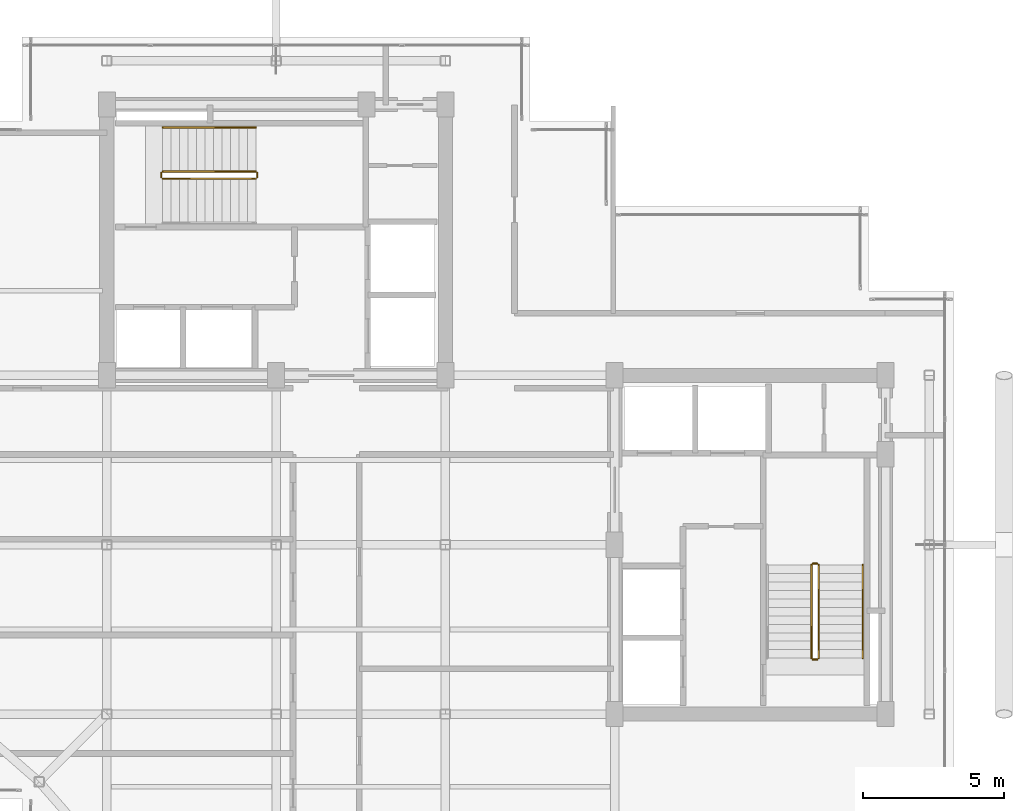
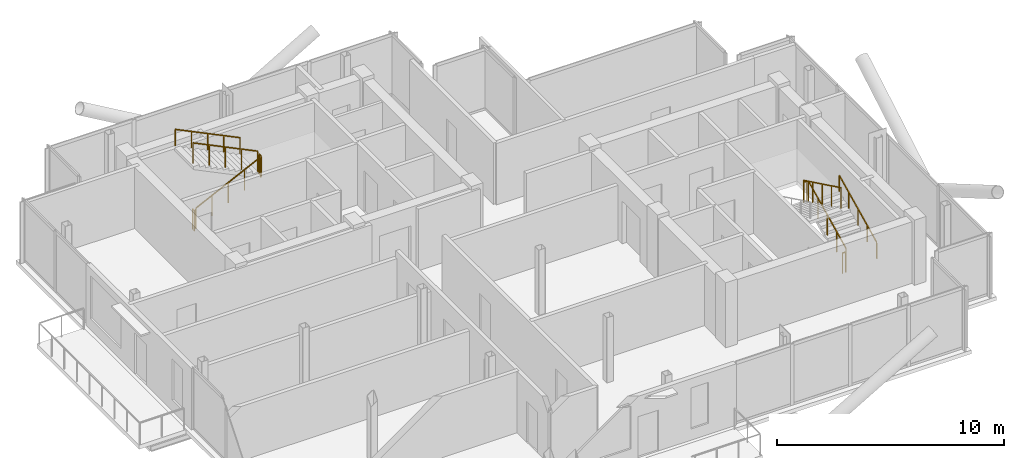
# One storey, part 18 of 18: 10 railings.
"""IFC4 building model written with IfcOpenShell, lengths in metres."""

from ifc_helpers import new_model, si_unit, direction, frame, origin, origin_2d, place, context, subcontext, project, spatial, rectangle, extrude, material, type_object, element, save


model = new_model("IFC4")

# Units and contexts
model_context = context("Model", 3, precision=1e-05, world=origin(), true_north=direction((0.0, 1.0)))
body_context = subcontext(model_context, "Body", "Model", "MODEL_VIEW")
ifc_project = project(units=[si_unit("LENGTHUNIT", "METRE"), si_unit("AREAUNIT", "SQUARE_METRE"), si_unit("VOLUMEUNIT", "CUBIC_METRE"), si_unit("PLANEANGLEUNIT", "RADIAN"), si_unit("MASSUNIT", "GRAM", prefix="KILO"), si_unit("THERMODYNAMICTEMPERATUREUNIT", "KELVIN"), si_unit("POWERUNIT", "WATT")], contexts=[model_context])

# Site, building, storey
site_placement = place(None, origin())
site = spatial("IfcSite", under=ifc_project, at=site_placement, CompositionType="ELEMENT")
building_placement = place(site_placement, origin())
building = spatial("IfcBuilding", under=site, at=building_placement, Name="Svarakhadi Broadcast Tower", CompositionType="ELEMENT")
storey_placement = place(building_placement, frame((0.0, 0.0, 281.699951171875)))
storey = spatial("IfcBuildingStorey", under=building, at=storey_placement, Name="L71", CompositionType="ELEMENT", Elevation=281.699951171875)

# Railings
ifc_material = material(Name="Anodised Bronze Aluminium AA 6063-T6", Category="aluminium")
railing_type_1 = type_object("IfcRailingType", Name="Guard_Stair_GR01", PredefinedType="GUARDRAIL", material=ifc_material)
railing_1_placement = place(storey_placement, frame((7.97998046875, 24.969970703125, 0.14599609375)))
element("IfcRailing", 1, at=railing_1_placement, inside=storey, type_object=railing_type_1, Name="L71 ST-01 stair guard 1", PredefinedType="GUARDRAIL", context=body_context, shape_type="SweptSolid", body=[
    extrude(rectangle(XDim=0.048095703125, YDim=0.048095703125, at=origin_2d()), frame((0.0, 0.0, 1.09619140625), z_axis=(0.899387838337, 0.0, 0.437151594131), x_axis=(0.0, 1.0, 0.0)), (0.0, 0.0, 1.0), 3.669189453125),
    extrude(rectangle(XDim=0.0419921875, YDim=0.0419921875, at=origin_2d()), origin(), (0.0, 0.0, 1.0), 1.072021484375),
    extrude(rectangle(XDim=0.0419921875, YDim=0.0419921875, at=origin_2d()), frame((0.824951171875, 0.0, 0.40087890625)), (0.0, 0.0, 1.0), 1.072021484375),
    extrude(rectangle(XDim=0.0419921875, YDim=0.0419921875, at=origin_2d()), frame((1.64990234375, 0.0, 0.802001953125)), (0.0, 0.0, 1.0), 1.072021484375),
    extrude(rectangle(XDim=0.0419921875, YDim=0.0419921875, at=origin_2d()), frame((2.47509765625, 0.0, 1.203125)), (0.0, 0.0, 1.0), 1.072021484375),
    extrude(rectangle(XDim=0.0419921875, YDim=0.0419921875, at=origin_2d()), frame((3.300048828125, 0.0, 1.60400390625)), (0.0, 0.0, 1.0), 1.072021484375),
])
railing_2_placement = place(storey_placement, frame((11.330078125, 25.02001953125, 1.75)))
element("IfcRailing", 2, at=railing_2_placement, inside=storey, type_object=railing_type_1, Name="L71 ST-01 stair guard 2", PredefinedType="GUARDRAIL", context=body_context, shape_type="SweptSolid", body=[
    extrude(rectangle(XDim=0.048095703125, YDim=0.048095703125, at=origin_2d()), frame((0.0, 0.0, 1.09619140625), z_axis=(0.0, 1.0, 0.0), x_axis=(-1.0, 0.0, 0.0)), (0.0, 0.0, 1.0), 0.159912109375),
    extrude(rectangle(XDim=0.0419921875, YDim=0.0419921875, at=origin_2d()), origin(), (0.0, 0.0, 1.0), 1.072021484375),
    extrude(rectangle(XDim=0.0419921875, YDim=0.0419921875, at=origin_2d()), frame((0.0, 0.159912109375, 0.0)), (0.0, 0.0, 1.0), 1.072021484375),
])
railing_3_placement = place(storey_placement, frame((11.280029296875, 25.22998046875, 1.89599609375)))
element("IfcRailing", 3, at=railing_3_placement, inside=storey, type_object=railing_type_1, Name="L71 ST-01 stair guard 3", PredefinedType="GUARDRAIL", context=body_context, shape_type="SweptSolid", body=[
    extrude(rectangle(XDim=0.048095703125, YDim=0.048095703125, at=origin_2d()), frame((0.0, 0.0, 1.09619140625), z_axis=(-0.899387838337, 0.0, 0.437151594131), x_axis=(0.0, -1.0, 0.0)), (0.0, 0.0, 1.0), 3.669189453125),
    extrude(rectangle(XDim=0.0419921875, YDim=0.0419921875, at=origin_2d()), origin(), (0.0, 0.0, 1.0), 1.072021484375),
    extrude(rectangle(XDim=0.0419921875, YDim=0.0419921875, at=origin_2d()), frame((-0.824951171875, 0.0, 0.40087890625)), (0.0, 0.0, 1.0), 1.072021484375),
    extrude(rectangle(XDim=0.0419921875, YDim=0.0419921875, at=origin_2d()), frame((-1.64990234375, 0.0, 0.802001953125)), (0.0, 0.0, 1.0), 1.072021484375),
    extrude(rectangle(XDim=0.0419921875, YDim=0.0419921875, at=origin_2d()), frame((-2.47509765625, 0.0, 1.203125)), (0.0, 0.0, 1.0), 1.072021484375),
    extrude(rectangle(XDim=0.0419921875, YDim=0.0419921875, at=origin_2d()), frame((-3.300048828125, 0.0, 1.60400390625)), (0.0, 0.0, 1.0), 1.072021484375),
])
railing_4_placement = place(storey_placement, frame((7.929931640625, 25.02001953125, 0.0)))
element("IfcRailing", 4, at=railing_4_placement, inside=storey, type_object=railing_type_1, Name="L71 ST-01 stair guard 4", PredefinedType="GUARDRAIL", context=body_context, shape_type="SweptSolid", body=[
    extrude(rectangle(XDim=0.048095703125, YDim=0.048095703125, at=origin_2d()), frame((0.0, 0.0, 1.09619140625), z_axis=(0.0, 1.0, 0.0), x_axis=(-1.0, 0.0, 0.0)), (0.0, 0.0, 1.0), 0.159912109375),
    extrude(rectangle(XDim=0.0419921875, YDim=0.0419921875, at=origin_2d()), origin(), (0.0, 0.0, 1.0), 1.072021484375),
    extrude(rectangle(XDim=0.0419921875, YDim=0.0419921875, at=origin_2d()), frame((0.0, 0.159912109375, 0.0)), (0.0, 0.0, 1.0), 1.072021484375),
])
railing_5_placement = place(storey_placement, frame((31.22998046875, 7.97998046875, 0.14599609375)))
element("IfcRailing", 5, at=railing_5_placement, inside=storey, type_object=railing_type_1, Name="L71 ST-02 stair guard 1", PredefinedType="GUARDRAIL", context=body_context, shape_type="SweptSolid", body=[
    extrude(rectangle(XDim=0.048095703125, YDim=0.048095703125, at=origin_2d()), frame((0.0, 0.0, 1.09619140625), z_axis=(0.0, 0.899387838337, 0.437151594131), x_axis=(-1.0, 0.0, 0.0)), (0.0, 0.0, 1.0), 3.669189453125),
    extrude(rectangle(XDim=0.0419921875, YDim=0.0419921875, at=origin_2d()), origin(), (0.0, 0.0, 1.0), 1.072021484375),
    extrude(rectangle(XDim=0.0419921875, YDim=0.0419921875, at=origin_2d()), frame((0.0, 0.824951171875, 0.40087890625)), (0.0, 0.0, 1.0), 1.072021484375),
    extrude(rectangle(XDim=0.0419921875, YDim=0.0419921875, at=origin_2d()), frame((0.0, 1.64990234375, 0.802001953125)), (0.0, 0.0, 1.0), 1.072021484375),
    extrude(rectangle(XDim=0.0419921875, YDim=0.0419921875, at=origin_2d()), frame((0.0, 2.47509765625, 1.203125)), (0.0, 0.0, 1.0), 1.072021484375),
    extrude(rectangle(XDim=0.0419921875, YDim=0.0419921875, at=origin_2d()), frame((0.0, 3.300048828125, 1.60400390625)), (0.0, 0.0, 1.0), 1.072021484375),
])
railing_6_placement = place(storey_placement, frame((31.179931640625, 11.330078125, 1.75)))
element("IfcRailing", 6, at=railing_6_placement, inside=storey, type_object=railing_type_1, Name="L71 ST-02 stair guard 2", PredefinedType="GUARDRAIL", context=body_context, shape_type="SweptSolid", body=[
    extrude(rectangle(XDim=0.048095703125, YDim=0.048095703125, at=origin_2d()), frame((0.0, 0.0, 1.09619140625), z_axis=(-1.0, 0.0, 0.0), x_axis=(0.0, -1.0, 0.0)), (0.0, 0.0, 1.0), 0.159912109375),
    extrude(rectangle(XDim=0.0419921875, YDim=0.0419921875, at=origin_2d()), origin(), (0.0, 0.0, 1.0), 1.072021484375),
    extrude(rectangle(XDim=0.0419921875, YDim=0.0419921875, at=origin_2d()), frame((-0.159912109375, 0.0, 0.0)), (0.0, 0.0, 1.0), 1.072021484375),
])
railing_7_placement = place(storey_placement, frame((30.969970703125, 11.280029296875, 1.89599609375)))
element("IfcRailing", 7, at=railing_7_placement, inside=storey, type_object=railing_type_1, Name="L71 ST-02 stair guard 3", PredefinedType="GUARDRAIL", context=body_context, shape_type="SweptSolid", body=[
    extrude(rectangle(XDim=0.048095703125, YDim=0.048095703125, at=origin_2d()), frame((0.0, 0.0, 1.09619140625), z_axis=(0.0, -0.899387838337, 0.437151594131), x_axis=(1.0, 0.0, 0.0)), (0.0, 0.0, 1.0), 3.669189453125),
    extrude(rectangle(XDim=0.0419921875, YDim=0.0419921875, at=origin_2d()), origin(), (0.0, 0.0, 1.0), 1.072021484375),
    extrude(rectangle(XDim=0.0419921875, YDim=0.0419921875, at=origin_2d()), frame((0.0, -0.824951171875, 0.40087890625)), (0.0, 0.0, 1.0), 1.072021484375),
    extrude(rectangle(XDim=0.0419921875, YDim=0.0419921875, at=origin_2d()), frame((0.0, -1.64990234375, 0.802001953125)), (0.0, 0.0, 1.0), 1.072021484375),
    extrude(rectangle(XDim=0.0419921875, YDim=0.0419921875, at=origin_2d()), frame((0.0, -2.47509765625, 1.203125)), (0.0, 0.0, 1.0), 1.072021484375),
    extrude(rectangle(XDim=0.0419921875, YDim=0.0419921875, at=origin_2d()), frame((0.0, -3.300048828125, 1.60400390625)), (0.0, 0.0, 1.0), 1.072021484375),
])
railing_8_placement = place(storey_placement, frame((31.179931640625, 7.929931640625, 0.0)))
element("IfcRailing", 8, at=railing_8_placement, inside=storey, type_object=railing_type_1, Name="L71 ST-02 stair guard 4", PredefinedType="GUARDRAIL", context=body_context, shape_type="SweptSolid", body=[
    extrude(rectangle(XDim=0.048095703125, YDim=0.048095703125, at=origin_2d()), frame((0.0, 0.0, 1.09619140625), z_axis=(-1.0, 0.0, 0.0), x_axis=(0.0, -1.0, 0.0)), (0.0, 0.0, 1.0), 0.159912109375),
    extrude(rectangle(XDim=0.0419921875, YDim=0.0419921875, at=origin_2d()), origin(), (0.0, 0.0, 1.0), 1.072021484375),
    extrude(rectangle(XDim=0.0419921875, YDim=0.0419921875, at=origin_2d()), frame((-0.159912109375, 0.0, 0.0)), (0.0, 0.0, 1.0), 1.072021484375),
])
railing_type_2 = type_object("IfcRailingType", Name="Handrail_Stair_HR01", PredefinedType="HANDRAIL", material=ifc_material)
railing_9_placement = place(storey_placement, frame((11.280029296875, 26.7900390625, 1.89599609375)))
element("IfcRailing", 9, at=railing_9_placement, inside=storey, type_object=railing_type_2, Name="L71 ST-01 stair handrail 2", PredefinedType="HANDRAIL", context=body_context, shape_type="SweptSolid", body=[
    extrude(rectangle(XDim=0.048095703125, YDim=0.048095703125, at=origin_2d()), frame((0.0, 0.0, 0.8759765625), z_axis=(-0.899387838337, 0.0, 0.437151594131), x_axis=(0.0, -1.0, 0.0)), (0.0, 0.0, 1.0), 3.669189453125),
    extrude(rectangle(XDim=0.0419921875, YDim=0.0419921875, at=origin_2d()), origin(), (0.0, 0.0, 1.0), 0.851806640625),
    extrude(rectangle(XDim=0.0419921875, YDim=0.0419921875, at=origin_2d()), frame((-0.824951171875, 0.0, 0.40087890625)), (0.0, 0.0, 1.0), 0.851806640625),
    extrude(rectangle(XDim=0.0419921875, YDim=0.0419921875, at=origin_2d()), frame((-1.64990234375, 0.0, 0.802001953125)), (0.0, 0.0, 1.0), 0.851806640625),
    extrude(rectangle(XDim=0.0419921875, YDim=0.0419921875, at=origin_2d()), frame((-2.47509765625, 0.0, 1.203125)), (0.0, 0.0, 1.0), 0.851806640625),
    extrude(rectangle(XDim=0.0419921875, YDim=0.0419921875, at=origin_2d()), frame((-3.300048828125, 0.0, 1.60400390625)), (0.0, 0.0, 1.0), 0.851806640625),
])
railing_10_placement = place(storey_placement, frame((32.7900390625, 7.97998046875, 0.14599609375)))
element("IfcRailing", 10, at=railing_10_placement, inside=storey, type_object=railing_type_2, Name="L71 ST-02 stair handrail 1", PredefinedType="HANDRAIL", context=body_context, shape_type="SweptSolid", body=[
    extrude(rectangle(XDim=0.048095703125, YDim=0.048095703125, at=origin_2d()), frame((0.0, 0.0, 0.8759765625), z_axis=(0.0, 0.899387838337, 0.437151594131), x_axis=(-1.0, 0.0, 0.0)), (0.0, 0.0, 1.0), 3.669189453125),
    extrude(rectangle(XDim=0.0419921875, YDim=0.0419921875, at=origin_2d()), origin(), (0.0, 0.0, 1.0), 0.851806640625),
    extrude(rectangle(XDim=0.0419921875, YDim=0.0419921875, at=origin_2d()), frame((0.0, 0.824951171875, 0.40087890625)), (0.0, 0.0, 1.0), 0.851806640625),
    extrude(rectangle(XDim=0.0419921875, YDim=0.0419921875, at=origin_2d()), frame((0.0, 1.64990234375, 0.802001953125)), (0.0, 0.0, 1.0), 0.851806640625),
    extrude(rectangle(XDim=0.0419921875, YDim=0.0419921875, at=origin_2d()), frame((0.0, 2.47509765625, 1.203125)), (0.0, 0.0, 1.0), 0.851806640625),
    extrude(rectangle(XDim=0.0419921875, YDim=0.0419921875, at=origin_2d()), frame((0.0, 3.300048828125, 1.60400390625)), (0.0, 0.0, 1.0), 0.851806640625),
])

save(model, "model.ifc")
